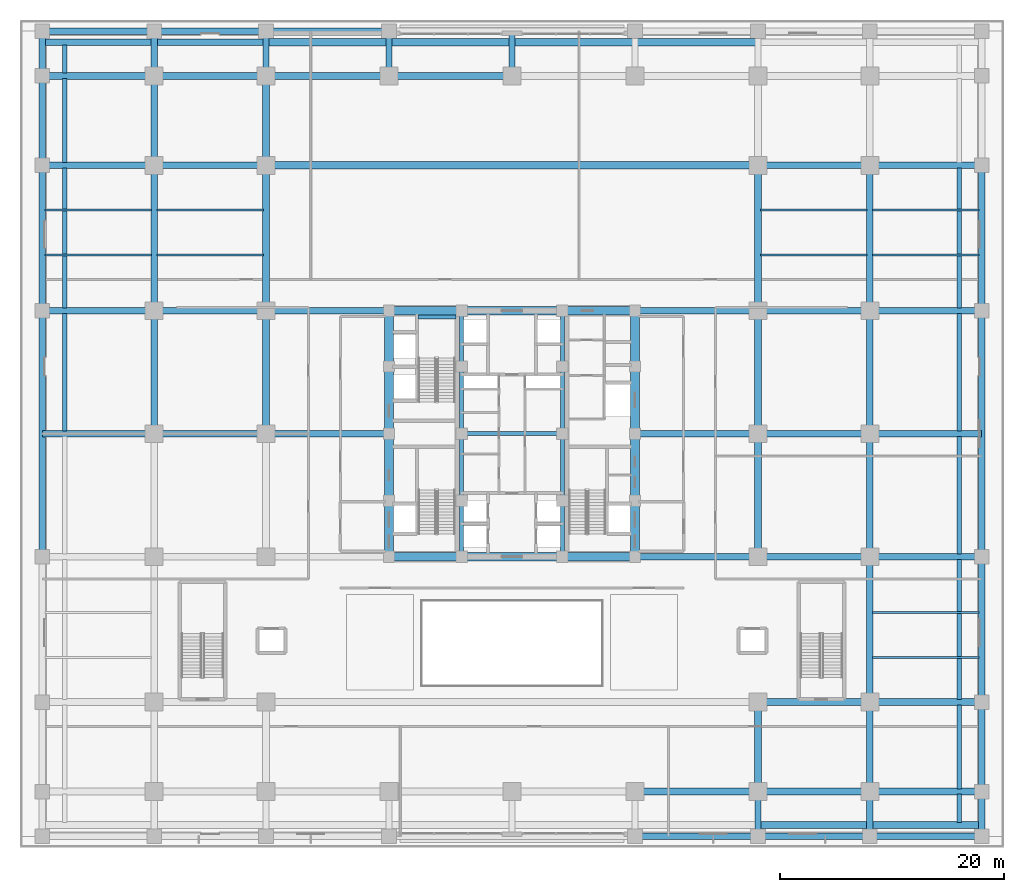
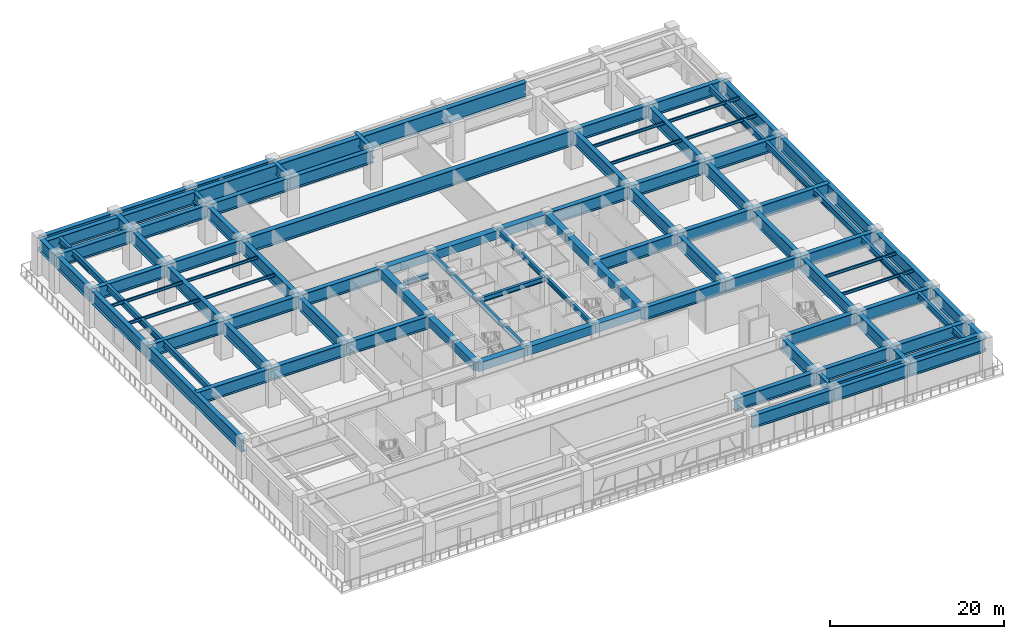
# One storey, part 9 of 28: 114 beams.
"""IFC4 building model written with IfcOpenShell, lengths in metres."""

from ifc_helpers import new_model, si_unit, direction, frame, origin, origin_2d, place, context, subcontext, project, spatial, rectangle, i_section, extrude, source, transform, mapped, material, material_profile, profile_set, type_object, element, save


model = new_model("IFC4")

# Units and contexts
model_context = context("Model", 3, precision=1e-05, world=origin(), true_north=direction((0.0, 1.0)))
body_context = subcontext(model_context, "Body", "Model", "MODEL_VIEW")
ifc_project = project(units=[si_unit("LENGTHUNIT", "METRE"), si_unit("AREAUNIT", "SQUARE_METRE"), si_unit("VOLUMEUNIT", "CUBIC_METRE"), si_unit("PLANEANGLEUNIT", "RADIAN"), si_unit("MASSUNIT", "GRAM", prefix="KILO")], contexts=[model_context])

# Site, building, storey
site_placement = place(None, origin())
site = spatial("IfcSite", under=ifc_project, at=site_placement, CompositionType="ELEMENT")
building_placement = place(site_placement, origin())
building = spatial("IfcBuilding", under=site, at=building_placement, Name="Khorayat Bourse Tower", CompositionType="ELEMENT")
storey_placement = place(building_placement, frame((0.0, 0.0, 12.0)))
storey = spatial("IfcBuildingStorey", under=building, at=storey_placement, Name="L02", CompositionType="ELEMENT", Elevation=12.0)

# Beams
ifc_material_1 = material(Name="Concrete C72/90", Category="concrete")
ifc_material_profile_1 = material_profile(ifc_material_1, rectangle(XDim=0.800048828125, YDim=1.199951171875, at=origin_2d()), Name="RC 800x1200")
ifc_profile_set_1 = profile_set([ifc_material_profile_1], Name="Concrete C72/90")
beam_type_1 = type_object("IfcBeamType", Name="BM-COUP-1200", PredefinedType="BEAM", material=ifc_profile_set_1)
shared_shape_1 = source(origin(), body_context, "Body", "SweptSolid", [
    extrude(rectangle(XDim=0.800048828125, YDim=1.199951171875, at=origin_2d()), origin(), (0.0, 0.0, 1.0), 5.0),
])
for number, where, z_axis, x_axis, name in (
    (1, (-11.0, -11.0, 4.47998046875), (0.0, 1.0, 0.0), (-1.0, 0.0, 0.0), "L02 BM-COUP-1200 BM-L02-CRX-01"),
    (2, (-11.0, 6.0, 4.47998046875), (0.0, 1.0, 0.0), (-1.0, 0.0, 0.0), "L02 BM-COUP-1200 BM-L02-CRX-04"),
    (3, (11.0, -11.0, 4.47998046875), (0.0, 1.0, 0.0), (-1.0, 0.0, 0.0), "L02 BM-COUP-1200 BM-L02-CRX-13"),
    (4, (11.0, 6.0, 4.47998046875), (0.0, 1.0, 0.0), (-1.0, 0.0, 0.0), "L02 BM-COUP-1200 BM-L02-CRX-16"),
):
    element("IfcBeam", number, at=place(storey_placement, frame(where, z_axis=z_axis, x_axis=x_axis)), inside=storey, type_object=beam_type_1, Name=name, PredefinedType="BEAM", context=body_context, shape_type="MappedRepresentation", body=[
        mapped(shared_shape_1, transform((0.0, 0.0, 0.0), scale=1.0)),
    ])
shared_shape_2 = source(origin(), body_context, "Body", "SweptSolid", [
    extrude(rectangle(XDim=0.800048828125, YDim=1.199951171875, at=origin_2d()), origin(), (0.0, 0.0, 1.0), 6.0),
])
for number, where, z_axis, x_axis, name in (
    (5, (-11.0, -6.0, 4.47998046875), (0.0, 1.0, 0.0), (-1.0, 0.0, 0.0), "L02 BM-COUP-1200 BM-L02-CRX-02"),
    (6, (-11.0, 0.0, 4.47998046875), (0.0, 1.0, 0.0), (-1.0, 0.0, 0.0), "L02 BM-COUP-1200 BM-L02-CRX-03"),
    (7, (11.0, -6.0, 4.47998046875), (0.0, 1.0, 0.0), (-1.0, 0.0, 0.0), "L02 BM-COUP-1200 BM-L02-CRX-14"),
    (8, (11.0, 0.0, 4.47998046875), (0.0, 1.0, 0.0), (-1.0, 0.0, 0.0), "L02 BM-COUP-1200 BM-L02-CRX-15"),
):
    element("IfcBeam", number, at=place(storey_placement, frame(where, z_axis=z_axis, x_axis=x_axis)), inside=storey, type_object=beam_type_1, Name=name, PredefinedType="BEAM", context=body_context, shape_type="MappedRepresentation", body=[
        mapped(shared_shape_2, transform((0.0, 0.0, 0.0), scale=1.0)),
    ])
ifc_material_2 = material(Name="Steel ASTM A992 Grade 50", Category="steel")
ifc_material_profile_2 = material_profile(ifc_material_2, i_section(OverallWidth=0.35498046875, OverallDepth=0.695068359375, WebThickness=0.015380859375, FlangeThickness=0.02490234375, FilletRadius=0.01806640625, at=origin_2d()), Name="W690X217")
ifc_profile_set_2 = profile_set([ifc_material_profile_2], Name="Steel ASTM A992 Grade 50")
beam_type_2 = type_object("IfcBeamType", Name="BM-GIRD-690", PredefinedType="BEAM", material=ifc_profile_set_2)
shared_shape_3 = source(origin(), body_context, "Body", "SweptSolid", [
    extrude(i_section(OverallWidth=0.35498046875, OverallDepth=0.695068359375, WebThickness=0.015380859375, FlangeThickness=0.02490234375, FilletRadius=0.01806640625, at=origin_2d()), origin(), (0.0, 0.0, 1.0), 5.0),
])
for number, where, z_axis, x_axis, name in (
    (9, (-4.5, -11.0, 4.732421875), (0.0, 1.0, 0.0), (-1.0, 0.0, 0.0), "L02 BM-GIRD-690 BM-L02-CRX-05"),
    (10, (-4.5, 6.0, 4.732421875), (0.0, 1.0, 0.0), (-1.0, 0.0, 0.0), "L02 BM-GIRD-690 BM-L02-CRX-08"),
    (11, (4.5, -11.0, 4.732421875), (0.0, 1.0, 0.0), (-1.0, 0.0, 0.0), "L02 BM-GIRD-690 BM-L02-CRX-09"),
    (12, (4.5, 6.0, 4.732421875), (0.0, 1.0, 0.0), (-1.0, 0.0, 0.0), "L02 BM-GIRD-690 BM-L02-CRX-12"),
):
    element("IfcBeam", number, at=place(storey_placement, frame(where, z_axis=z_axis, x_axis=x_axis)), inside=storey, type_object=beam_type_2, Name=name, PredefinedType="BEAM", context=body_context, shape_type="MappedRepresentation", body=[
        mapped(shared_shape_3, transform((0.0, 0.0, 0.0), scale=1.0)),
    ])
shared_shape_4 = source(origin(), body_context, "Body", "SweptSolid", [
    extrude(i_section(OverallWidth=0.35498046875, OverallDepth=0.695068359375, WebThickness=0.015380859375, FlangeThickness=0.02490234375, FilletRadius=0.01806640625, at=origin_2d()), origin(), (0.0, 0.0, 1.0), 6.0),
])
for number, where, z_axis, x_axis, name in (
    (13, (-4.5, -6.0, 4.732421875), (0.0, 1.0, 0.0), (-1.0, 0.0, 0.0), "L02 BM-GIRD-690 BM-L02-CRX-06"),
    (14, (-4.5, 0.0, 4.732421875), (0.0, 1.0, 0.0), (-1.0, 0.0, 0.0), "L02 BM-GIRD-690 BM-L02-CRX-07"),
    (15, (4.5, -6.0, 4.732421875), (0.0, 1.0, 0.0), (-1.0, 0.0, 0.0), "L02 BM-GIRD-690 BM-L02-CRX-10"),
    (16, (4.5, 0.0, 4.732421875), (0.0, 1.0, 0.0), (-1.0, 0.0, 0.0), "L02 BM-GIRD-690 BM-L02-CRX-11"),
):
    element("IfcBeam", number, at=place(storey_placement, frame(where, z_axis=z_axis, x_axis=x_axis)), inside=storey, type_object=beam_type_2, Name=name, PredefinedType="BEAM", context=body_context, shape_type="MappedRepresentation", body=[
        mapped(shared_shape_4, transform((0.0, 0.0, 0.0), scale=1.0)),
    ])
shared_shape_5 = source(origin(), body_context, "Body", "SweptSolid", [
    extrude(rectangle(XDim=0.800048828125, YDim=1.199951171875, at=origin_2d()), origin(), (0.0, 0.0, 1.0), 6.5),
])
for number, where, z_axis, x_axis, name in (
    (17, (-11.0, -11.0, 4.47998046875), (1.0, 0.0, 0.0), (0.0, 1.0, 0.0), "L02 BM-COUP-1200 BM-L02-CRY-17"),
    (18, (4.5, -11.0, 4.47998046875), (1.0, 0.0, 0.0), (0.0, 1.0, 0.0), "L02 BM-COUP-1200 BM-L02-CRY-19"),
    (19, (-11.0, 11.0, 4.47998046875), (1.0, 0.0, 0.0), (0.0, 1.0, 0.0), "L02 BM-COUP-1200 BM-L02-CRY-20"),
    (20, (4.5, 11.0, 4.47998046875), (1.0, 0.0, 0.0), (0.0, 1.0, 0.0), "L02 BM-COUP-1200 BM-L02-CRY-22"),
):
    element("IfcBeam", number, at=place(storey_placement, frame(where, z_axis=z_axis, x_axis=x_axis)), inside=storey, type_object=beam_type_1, Name=name, PredefinedType="BEAM", context=body_context, shape_type="MappedRepresentation", body=[
        mapped(shared_shape_5, transform((0.0, 0.0, 0.0), scale=1.0)),
    ])
shared_shape_6 = source(origin(), body_context, "Body", "SweptSolid", [
    extrude(rectangle(XDim=0.800048828125, YDim=1.199951171875, at=origin_2d()), origin(), (0.0, 0.0, 1.0), 9.0),
])
for number, where, z_axis, x_axis, name in (
    (21, (-4.5, -11.0, 4.47998046875), (1.0, 0.0, 0.0), (0.0, 1.0, 0.0), "L02 BM-COUP-1200 BM-L02-CRY-18"),
    (22, (-4.5, 11.0, 4.47998046875), (1.0, 0.0, 0.0), (0.0, 1.0, 0.0), "L02 BM-COUP-1200 BM-L02-CRY-21"),
):
    element("IfcBeam", number, at=place(storey_placement, frame(where, z_axis=z_axis, x_axis=x_axis)), inside=storey, type_object=beam_type_1, Name=name, PredefinedType="BEAM", context=body_context, shape_type="MappedRepresentation", body=[
        mapped(shared_shape_6, transform((0.0, 0.0, 0.0), scale=1.0)),
    ])
shared_shape_7 = source(origin(), body_context, "Body", "SweptSolid", [
    extrude(i_section(OverallWidth=0.35498046875, OverallDepth=0.695068359375, WebThickness=0.015380859375, FlangeThickness=0.02490234375, FilletRadius=0.01806640625, at=origin_2d()), origin(), (0.0, 0.0, 1.0), 3.39990234375),
])
beam_1_placement = place(storey_placement, frame((-8.419921875, 10.449951171875, 2.152587890625), z_axis=(1.0, 0.0, 0.0), x_axis=(0.0, 1.0, 0.0)))
element("IfcBeam", 23, at=beam_1_placement, inside=storey, type_object=beam_type_2, Name="L02 BM-GIRD-690 BM-L02-ST2L", PredefinedType="BEAM", context=body_context, shape_type="MappedRepresentation", body=[
    mapped(shared_shape_7, transform((0.0, 0.0, 0.0), scale=1.0)),
])
shared_shape_8 = source(origin(), body_context, "Body", "SweptSolid", [
    extrude(i_section(OverallWidth=0.35498046875, OverallDepth=0.695068359375, WebThickness=0.015380859375, FlangeThickness=0.02490234375, FilletRadius=0.01806640625, at=origin_2d()), origin(), (0.0, 0.0, 1.0), 9.0),
])
beam_2_placement = place(storey_placement, frame((-4.5, 0.0, 4.732421875), z_axis=(1.0, 0.0, 0.0), x_axis=(0.0, 1.0, 0.0)))
element("IfcBeam", 24, at=beam_2_placement, inside=storey, type_object=beam_type_2, Name="L02 BM-GIRD-690 BM-L02-CRY-23", PredefinedType="BEAM", context=body_context, shape_type="MappedRepresentation", body=[
    mapped(shared_shape_8, transform((0.0, 0.0, 0.0), scale=1.0)),
])
ifc_material_3 = material(Name="Steel EN 10025-4 S460M", Category="steel")
ifc_material_profile_3 = material_profile(ifc_material_3, i_section(OverallWidth=0.60009765625, OverallDepth=1.800048828125, WebThickness=0.031982421875, FlangeThickness=0.06005859375, at=origin_2d()), Name="PG 1800x600x32x60")
ifc_profile_set_3 = profile_set([ifc_material_profile_3], Name="Steel EN 10025-4 S460M")
beam_type_3 = type_object("IfcBeamType", Name="BM-TR-1800", PredefinedType="BEAM", material=ifc_profile_set_3)
shared_shape_9 = source(origin(), body_context, "Body", "SweptSolid", [
    extrude(i_section(OverallWidth=0.60009765625, OverallDepth=1.800048828125, WebThickness=0.031982421875, FlangeThickness=0.06005859375, at=origin_2d()), origin(), (0.0, 0.0, 1.0), 10.0),
])
for number, where, z_axis, x_axis, name in (
    (25, (22.0, -36.0, 4.179931640625), (1.0, 0.0, 0.0), (0.0, 1.0, 0.0), "L02 BM-TR-1800 BM-L02-PGX-029"),
    (26, (32.0, -36.0, 4.179931640625), (1.0, 0.0, 0.0), (0.0, 1.0, 0.0), "L02 BM-TR-1800 BM-L02-PGX-030"),
    (27, (22.0, -35.0, 4.179931640625), (1.0, 0.0, 0.0), (0.0, 1.0, 0.0), "L02 BM-TR-1800 BM-L02-PGX-034"),
    (28, (32.0, -35.0, 4.179931640625), (1.0, 0.0, 0.0), (0.0, 1.0, 0.0), "L02 BM-TR-1800 BM-L02-PGX-035"),
    (29, (22.0, -32.0, 4.179931640625), (1.0, 0.0, 0.0), (0.0, 1.0, 0.0), "L02 BM-TR-1800 BM-L02-PGX-042"),
    (30, (32.0, -32.0, 4.179931640625), (1.0, 0.0, 0.0), (0.0, 1.0, 0.0), "L02 BM-TR-1800 BM-L02-PGX-043"),
    (31, (22.0, -24.0, 4.179931640625), (1.0, 0.0, 0.0), (0.0, 1.0, 0.0), "L02 BM-TR-1800 BM-L02-PGX-047"),
    (32, (32.0, -24.0, 4.179931640625), (1.0, 0.0, 0.0), (0.0, 1.0, 0.0), "L02 BM-TR-1800 BM-L02-PGX-048"),
    (33, (22.0, -11.0, 4.179931640625), (1.0, 0.0, 0.0), (0.0, 1.0, 0.0), "L02 BM-TR-1800 BM-L02-PGX-056"),
    (34, (32.0, -11.0, 4.179931640625), (1.0, 0.0, 0.0), (0.0, 1.0, 0.0), "L02 BM-TR-1800 BM-L02-PGX-057"),
    (35, (-42.0, 0.0, 4.179931640625), (1.0, 0.0, 0.0), (0.0, 1.0, 0.0), "L02 BM-TR-1800 BM-L02-PGX-058"),
    (36, (-32.0, 0.0, 4.179931640625), (1.0, 0.0, 0.0), (0.0, 1.0, 0.0), "L02 BM-TR-1800 BM-L02-PGX-059"),
    (37, (22.0, 0.0, 4.179931640625), (1.0, 0.0, 0.0), (0.0, 1.0, 0.0), "L02 BM-TR-1800 BM-L02-PGX-062"),
    (38, (32.0, 0.0, 4.179931640625), (1.0, 0.0, 0.0), (0.0, 1.0, 0.0), "L02 BM-TR-1800 BM-L02-PGX-063"),
    (39, (-42.0, 11.0, 4.179931640625), (1.0, 0.0, 0.0), (0.0, 1.0, 0.0), "L02 BM-TR-1800 BM-L02-PGX-064"),
    (40, (-32.0, 11.0, 4.179931640625), (1.0, 0.0, 0.0), (0.0, 1.0, 0.0), "L02 BM-TR-1800 BM-L02-PGX-065"),
    (41, (22.0, 11.0, 4.179931640625), (1.0, 0.0, 0.0), (0.0, 1.0, 0.0), "L02 BM-TR-1800 BM-L02-PGX-071"),
    (42, (32.0, 11.0, 4.179931640625), (1.0, 0.0, 0.0), (0.0, 1.0, 0.0), "L02 BM-TR-1800 BM-L02-PGX-072"),
    (43, (-42.0, 24.0, 4.179931640625), (1.0, 0.0, 0.0), (0.0, 1.0, 0.0), "L02 BM-TR-1800 BM-L02-PGX-073"),
    (44, (-32.0, 24.0, 4.179931640625), (1.0, 0.0, 0.0), (0.0, 1.0, 0.0), "L02 BM-TR-1800 BM-L02-PGX-074"),
    (45, (22.0, 24.0, 4.179931640625), (1.0, 0.0, 0.0), (0.0, 1.0, 0.0), "L02 BM-TR-1800 BM-L02-PGX-076"),
    (46, (32.0, 24.0, 4.179931640625), (1.0, 0.0, 0.0), (0.0, 1.0, 0.0), "L02 BM-TR-1800 BM-L02-PGX-077"),
    (47, (-42.0, 32.0, 4.179931640625), (1.0, 0.0, 0.0), (0.0, 1.0, 0.0), "L02 BM-TR-1800 BM-L02-PGX-078"),
    (48, (-32.0, 32.0, 4.179931640625), (1.0, 0.0, 0.0), (0.0, 1.0, 0.0), "L02 BM-TR-1800 BM-L02-PGX-079"),
    (49, (-42.0, 35.0, 4.179931640625), (1.0, 0.0, 0.0), (0.0, 1.0, 0.0), "L02 BM-TR-1800 BM-L02-PGX-086"),
    (50, (-32.0, 35.0, 4.179931640625), (1.0, 0.0, 0.0), (0.0, 1.0, 0.0), "L02 BM-TR-1800 BM-L02-PGX-087"),
    (51, (-42.0, 36.0, 4.179931640625), (1.0, 0.0, 0.0), (0.0, 1.0, 0.0), "L02 BM-TR-1800 BM-L02-PGX-091"),
    (52, (-32.0, 36.0, 4.179931640625), (1.0, 0.0, 0.0), (0.0, 1.0, 0.0), "L02 BM-TR-1800 BM-L02-PGX-092"),
):
    element("IfcBeam", number, at=place(storey_placement, frame(where, z_axis=z_axis, x_axis=x_axis)), inside=storey, type_object=beam_type_3, Name=name, PredefinedType="BEAM", context=body_context, shape_type="MappedRepresentation", body=[
        mapped(shared_shape_9, transform((0.0, 0.0, 0.0), scale=1.0)),
    ])
shared_shape_10 = source(origin(), body_context, "Body", "SweptSolid", [
    extrude(i_section(OverallWidth=0.60009765625, OverallDepth=1.800048828125, WebThickness=0.031982421875, FlangeThickness=0.06005859375, at=origin_2d()), origin(), (0.0, 0.0, 1.0), 11.0),
])
for number, where, z_axis, x_axis, name in (
    (53, (11.0, -36.0, 4.179931640625), (1.0, 0.0, 0.0), (0.0, 1.0, 0.0), "L02 BM-TR-1800 BM-L02-PGX-028"),
    (54, (11.0, -32.0, 4.179931640625), (1.0, 0.0, 0.0), (0.0, 1.0, 0.0), "L02 BM-TR-1800 BM-L02-PGX-041"),
    (55, (11.0, -11.0, 4.179931640625), (1.0, 0.0, 0.0), (0.0, 1.0, 0.0), "L02 BM-TR-1800 BM-L02-PGX-055"),
    (56, (-22.0, 0.0, 4.179931640625), (1.0, 0.0, 0.0), (0.0, 1.0, 0.0), "L02 BM-TR-1800 BM-L02-PGX-060"),
    (57, (11.0, 0.0, 4.179931640625), (1.0, 0.0, 0.0), (0.0, 1.0, 0.0), "L02 BM-TR-1800 BM-L02-PGX-061"),
    (58, (-22.0, 11.0, 4.179931640625), (1.0, 0.0, 0.0), (0.0, 1.0, 0.0), "L02 BM-TR-1800 BM-L02-PGX-066"),
    (59, (11.0, 11.0, 4.179931640625), (1.0, 0.0, 0.0), (0.0, 1.0, 0.0), "L02 BM-TR-1800 BM-L02-PGX-070"),
    (60, (-22.0, 32.0, 4.179931640625), (1.0, 0.0, 0.0), (0.0, 1.0, 0.0), "L02 BM-TR-1800 BM-L02-PGX-080"),
    (61, (-11.0, 32.0, 4.179931640625), (1.0, 0.0, 0.0), (0.0, 1.0, 0.0), "L02 BM-TR-1800 BM-L02-PGX-081"),
    (62, (-22.0, 36.0, 4.179931640625), (1.0, 0.0, 0.0), (0.0, 1.0, 0.0), "L02 BM-TR-1800 BM-L02-PGX-093"),
    (63, (-32.0, 0.0, 4.179931640625), (0.0, 1.0, 0.0), (-1.0, 0.0, 0.0), "L02 BM-TR-1800 BM-L02-PGY-117"),
    (64, (-22.0, 0.0, 4.179931640625), (0.0, 1.0, 0.0), (-1.0, 0.0, 0.0), "L02 BM-TR-1800 BM-L02-PGY-124"),
    (65, (22.0, -11.0, 4.179931640625), (0.0, 1.0, 0.0), (-1.0, 0.0, 0.0), "L02 BM-TR-1800 BM-L02-PGY-139"),
    (66, (22.0, 0.0, 4.179931640625), (0.0, 1.0, 0.0), (-1.0, 0.0, 0.0), "L02 BM-TR-1800 BM-L02-PGY-140"),
    (67, (32.0, -11.0, 4.179931640625), (0.0, 1.0, 0.0), (-1.0, 0.0, 0.0), "L02 BM-TR-1800 BM-L02-PGY-147"),
    (68, (32.0, 0.0, 4.179931640625), (0.0, 1.0, 0.0), (-1.0, 0.0, 0.0), "L02 BM-TR-1800 BM-L02-PGY-148"),
):
    element("IfcBeam", number, at=place(storey_placement, frame(where, z_axis=z_axis, x_axis=x_axis)), inside=storey, type_object=beam_type_3, Name=name, PredefinedType="BEAM", context=body_context, shape_type="MappedRepresentation", body=[
        mapped(shared_shape_10, transform((0.0, 0.0, 0.0), scale=1.0)),
    ])
shared_shape_11 = source(origin(), body_context, "Body", "SweptSolid", [
    extrude(i_section(OverallWidth=0.60009765625, OverallDepth=1.800048828125, WebThickness=0.031982421875, FlangeThickness=0.06005859375, at=origin_2d()), origin(), (0.0, 0.0, 1.0), 8.0),
])
for number, where, z_axis, x_axis, name in (
    (69, (-42.0, 24.0, 4.179931640625), (0.0, 1.0, 0.0), (-1.0, 0.0, 0.0), "L02 BM-TR-1800 BM-L02-PGY-103"),
    (70, (-32.0, 24.0, 4.179931640625), (0.0, 1.0, 0.0), (-1.0, 0.0, 0.0), "L02 BM-TR-1800 BM-L02-PGY-119"),
    (71, (-22.0, 24.0, 4.179931640625), (0.0, 1.0, 0.0), (-1.0, 0.0, 0.0), "L02 BM-TR-1800 BM-L02-PGY-126"),
    (72, (22.0, -32.0, 4.179931640625), (0.0, 1.0, 0.0), (-1.0, 0.0, 0.0), "L02 BM-TR-1800 BM-L02-PGY-138"),
    (73, (32.0, -32.0, 4.179931640625), (0.0, 1.0, 0.0), (-1.0, 0.0, 0.0), "L02 BM-TR-1800 BM-L02-PGY-145"),
    (74, (42.0, -32.0, 4.179931640625), (0.0, 1.0, 0.0), (-1.0, 0.0, 0.0), "L02 BM-TR-1800 BM-L02-PGY-161"),
):
    element("IfcBeam", number, at=place(storey_placement, frame(where, z_axis=z_axis, x_axis=x_axis)), inside=storey, type_object=beam_type_3, Name=name, PredefinedType="BEAM", context=body_context, shape_type="MappedRepresentation", body=[
        mapped(shared_shape_11, transform((0.0, 0.0, 0.0), scale=1.0)),
    ])
shared_shape_12 = source(origin(), body_context, "Body", "SweptSolid", [
    extrude(i_section(OverallWidth=0.60009765625, OverallDepth=1.800048828125, WebThickness=0.031982421875, FlangeThickness=0.06005859375, at=origin_2d()), origin(), (0.0, 0.0, 1.0), 13.0),
])
for number, where, z_axis, x_axis, name in (
    (75, (-42.0, 11.0, 4.179931640625), (0.0, 1.0, 0.0), (-1.0, 0.0, 0.0), "L02 BM-TR-1800 BM-L02-PGY-102"),
    (76, (-32.0, 11.0, 4.179931640625), (0.0, 1.0, 0.0), (-1.0, 0.0, 0.0), "L02 BM-TR-1800 BM-L02-PGY-118"),
    (77, (-22.0, 11.0, 4.179931640625), (0.0, 1.0, 0.0), (-1.0, 0.0, 0.0), "L02 BM-TR-1800 BM-L02-PGY-125"),
    (78, (22.0, 11.0, 4.179931640625), (0.0, 1.0, 0.0), (-1.0, 0.0, 0.0), "L02 BM-TR-1800 BM-L02-PGY-141"),
    (79, (32.0, -24.0, 4.179931640625), (0.0, 1.0, 0.0), (-1.0, 0.0, 0.0), "L02 BM-TR-1800 BM-L02-PGY-146"),
    (80, (32.0, 11.0, 4.179931640625), (0.0, 1.0, 0.0), (-1.0, 0.0, 0.0), "L02 BM-TR-1800 BM-L02-PGY-149"),
    (81, (42.0, -24.0, 4.179931640625), (0.0, 1.0, 0.0), (-1.0, 0.0, 0.0), "L02 BM-TR-1800 BM-L02-PGY-162"),
    (82, (42.0, 11.0, 4.179931640625), (0.0, 1.0, 0.0), (-1.0, 0.0, 0.0), "L02 BM-TR-1800 BM-L02-PGY-164"),
):
    element("IfcBeam", number, at=place(storey_placement, frame(where, z_axis=z_axis, x_axis=x_axis)), inside=storey, type_object=beam_type_3, Name=name, PredefinedType="BEAM", context=body_context, shape_type="MappedRepresentation", body=[
        mapped(shared_shape_12, transform((0.0, 0.0, 0.0), scale=1.0)),
    ])
ifc_material_profile_4 = material_profile(ifc_material_3, i_section(OverallWidth=0.64990234375, OverallDepth=2.199951171875, WebThickness=0.035888671875, FlangeThickness=0.06494140625, at=origin_2d()), Name="PG 2200x650x36x65")
ifc_profile_set_4 = profile_set([ifc_material_profile_4], Name="Steel EN 10025-4 S460M")
beam_type_4 = type_object("IfcBeamType", Name="BM-TR-2200", PredefinedType="BEAM", material=ifc_profile_set_4)
shared_shape_13 = source(origin(), body_context, "Body", "SweptSolid", [
    extrude(i_section(OverallWidth=0.64990234375, OverallDepth=2.199951171875, WebThickness=0.035888671875, FlangeThickness=0.06494140625, at=origin_2d()), origin(), (0.0, 0.0, 1.0), 44.0),
])
for number, where, z_axis, x_axis, name in (
    (83, (-22.0, 24.0, 3.97998046875), (1.0, 0.0, 0.0), (0.0, 1.0, 0.0), "L02 BM-TR-2200 BM-L02-PGX-075"),
    (84, (-22.0, 35.0, 3.97998046875), (1.0, 0.0, 0.0), (0.0, 1.0, 0.0), "L02 BM-TR-2200 BM-L02-PGX-088"),
):
    element("IfcBeam", number, at=place(storey_placement, frame(where, z_axis=z_axis, x_axis=x_axis)), inside=storey, type_object=beam_type_4, Name=name, PredefinedType="BEAM", context=body_context, shape_type="MappedRepresentation", body=[
        mapped(shared_shape_13, transform((0.0, 0.0, 0.0), scale=1.0)),
    ])
ifc_material_profile_5 = material_profile(ifc_material_2, i_section(OverallWidth=0.39990234375, OverallDepth=0.85498046875, WebThickness=0.018310546875, FlangeThickness=0.029296875, FilletRadius=0.02001953125, at=origin_2d()), Name="W840X299")
ifc_profile_set_5 = profile_set([ifc_material_profile_5], Name="Steel ASTM A992 Grade 50")
beam_type_5 = type_object("IfcBeamType", Name="BM-GIRD-840", PredefinedType="BEAM", material=ifc_profile_set_5)
shared_shape_14 = source(origin(), body_context, "Body", "SweptSolid", [
    extrude(i_section(OverallWidth=0.39990234375, OverallDepth=0.85498046875, WebThickness=0.018310546875, FlangeThickness=0.029296875, FilletRadius=0.02001953125, at=origin_2d()), origin(), (0.0, 0.0, 1.0), 7.52001953125),
])
for number, where, z_axis, x_axis, name in (
    (85, (-40.0, 24.239990234375, 4.652587890625), (0.0, 1.0, 0.0), (-1.0, 0.0, 0.0), "L02 BM-GIRD-840 BM-L02-PGY-111"),
    (86, (40.0, -31.760009765625, 4.652587890625), (0.0, 1.0, 0.0), (-1.0, 0.0, 0.0), "L02 BM-GIRD-840 BM-L02-PGY-153"),
):
    element("IfcBeam", number, at=place(storey_placement, frame(where, z_axis=z_axis, x_axis=x_axis)), inside=storey, type_object=beam_type_5, Name=name, PredefinedType="BEAM", context=body_context, shape_type="MappedRepresentation", body=[
        mapped(shared_shape_14, transform((0.0, 0.0, 0.0), scale=1.0)),
    ])
shared_shape_15 = source(origin(), body_context, "Body", "SweptSolid", [
    extrude(i_section(OverallWidth=0.39990234375, OverallDepth=0.85498046875, WebThickness=0.018310546875, FlangeThickness=0.029296875, FilletRadius=0.02001953125, at=origin_2d()), origin(), (0.0, 0.0, 1.0), 12.52001953125),
])
for number, where, z_axis, x_axis, name in (
    (87, (-40.0, 11.239990234375, 4.652587890625), (0.0, 1.0, 0.0), (-1.0, 0.0, 0.0), "L02 BM-GIRD-840 BM-L02-PGY-110"),
    (88, (40.0, -23.760009765625, 4.652587890625), (0.0, 1.0, 0.0), (-1.0, 0.0, 0.0), "L02 BM-GIRD-840 BM-L02-PGY-154"),
    (89, (40.0, 11.239990234375, 4.652587890625), (0.0, 1.0, 0.0), (-1.0, 0.0, 0.0), "L02 BM-GIRD-840 BM-L02-PGY-157"),
):
    element("IfcBeam", number, at=place(storey_placement, frame(where, z_axis=z_axis, x_axis=x_axis)), inside=storey, type_object=beam_type_5, Name=name, PredefinedType="BEAM", context=body_context, shape_type="MappedRepresentation", body=[
        mapped(shared_shape_15, transform((0.0, 0.0, 0.0), scale=1.0)),
    ])
shared_shape_16 = source(origin(), body_context, "Body", "SweptSolid", [
    extrude(i_section(OverallWidth=0.39990234375, OverallDepth=0.85498046875, WebThickness=0.018310546875, FlangeThickness=0.029296875, FilletRadius=0.02001953125, at=origin_2d()), origin(), (0.0, 0.0, 1.0), 10.52001953125),
])
for number, where, z_axis, x_axis, name in (
    (90, (-40.0, 0.239990234375, 4.652587890625), (0.0, 1.0, 0.0), (-1.0, 0.0, 0.0), "L02 BM-GIRD-840 BM-L02-PGY-109"),
    (91, (40.0, -10.760009765625, 4.652587890625), (0.0, 1.0, 0.0), (-1.0, 0.0, 0.0), "L02 BM-GIRD-840 BM-L02-PGY-155"),
    (92, (40.0, 0.239990234375, 4.652587890625), (0.0, 1.0, 0.0), (-1.0, 0.0, 0.0), "L02 BM-GIRD-840 BM-L02-PGY-156"),
):
    element("IfcBeam", number, at=place(storey_placement, frame(where, z_axis=z_axis, x_axis=x_axis)), inside=storey, type_object=beam_type_5, Name=name, PredefinedType="BEAM", context=body_context, shape_type="MappedRepresentation", body=[
        mapped(shared_shape_16, transform((0.0, 0.0, 0.0), scale=1.0)),
    ])
ifc_material_profile_6 = material_profile(ifc_material_2, i_section(OverallWidth=0.180908203125, OverallDepth=0.4169921875, WebThickness=0.010986328125, FlangeThickness=0.018310546875, FilletRadius=0.011962890625, at=origin_2d()), Name="W410X85")
ifc_profile_set_6 = profile_set([ifc_material_profile_6], Name="Steel ASTM A992 Grade 50")
beam_type_6 = type_object("IfcBeamType", Name="BM-JOIST-410", PredefinedType="JOIST", material=ifc_profile_set_6)
shared_shape_17 = source(origin(), body_context, "Body", "SweptSolid", [
    extrude(i_section(OverallWidth=0.180908203125, OverallDepth=0.4169921875, WebThickness=0.010986328125, FlangeThickness=0.018310546875, FilletRadius=0.011962890625, at=origin_2d()), origin(), (0.0, 0.0, 1.0), 9.52001953125),
])
for number, where, z_axis, x_axis, name in (
    (93, (32.239990234375, -20.0, 4.87158203125), (1.0, 0.0, 0.0), (0.0, 1.0, 0.0), "L02 BM-JOIST-410 BM-L02-PJ-168"),
    (94, (32.239990234375, -16.0, 4.87158203125), (1.0, 0.0, 0.0), (0.0, 1.0, 0.0), "L02 BM-JOIST-410 BM-L02-PJ-170"),
    (95, (-41.760009765625, 16.0, 4.87158203125), (1.0, 0.0, 0.0), (0.0, 1.0, 0.0), "L02 BM-JOIST-410 BM-L02-PJ-171"),
    (96, (-31.760009765625, 16.0, 4.87158203125), (1.0, 0.0, 0.0), (0.0, 1.0, 0.0), "L02 BM-JOIST-410 BM-L02-PJ-172"),
    (97, (22.239990234375, 16.0, 4.87158203125), (1.0, 0.0, 0.0), (0.0, 1.0, 0.0), "L02 BM-JOIST-410 BM-L02-PJ-173"),
    (98, (32.239990234375, 16.0, 4.87158203125), (1.0, 0.0, 0.0), (0.0, 1.0, 0.0), "L02 BM-JOIST-410 BM-L02-PJ-174"),
    (99, (-41.760009765625, 20.0, 4.87158203125), (1.0, 0.0, 0.0), (0.0, 1.0, 0.0), "L02 BM-JOIST-410 BM-L02-PJ-175"),
    (100, (-31.760009765625, 20.0, 4.87158203125), (1.0, 0.0, 0.0), (0.0, 1.0, 0.0), "L02 BM-JOIST-410 BM-L02-PJ-176"),
    (101, (22.239990234375, 20.0, 4.87158203125), (1.0, 0.0, 0.0), (0.0, 1.0, 0.0), "L02 BM-JOIST-410 BM-L02-PJ-177"),
    (102, (32.239990234375, 20.0, 4.87158203125), (1.0, 0.0, 0.0), (0.0, 1.0, 0.0), "L02 BM-JOIST-410 BM-L02-PJ-178"),
):
    element("IfcBeam", number, at=place(storey_placement, frame(where, z_axis=z_axis, x_axis=x_axis)), inside=storey, type_object=beam_type_6, Name=name, PredefinedType="JOIST", context=body_context, shape_type="MappedRepresentation", body=[
        mapped(shared_shape_17, transform((0.0, 0.0, 0.0), scale=1.0)),
    ])
shared_shape_18 = source(origin(), body_context, "Body", "SweptSolid", [
    extrude(i_section(OverallWidth=0.60009765625, OverallDepth=1.800048828125, WebThickness=0.031982421875, FlangeThickness=0.06005859375, at=origin_2d()), origin(), (0.0, 0.0, 1.0), 22.0),
])
for number, where, z_axis, x_axis, name in (
    (103, (-42.0, -11.0, 4.179931640625), (0.0, 1.0, 0.0), (-1.0, 0.0, 0.0), "L02 BM-TR-1800 BM-L02-PGY-101"),
    (104, (42.0, -11.0, 4.179931640625), (0.0, 1.0, 0.0), (-1.0, 0.0, 0.0), "L02 BM-TR-1800 BM-L02-PGY-163"),
):
    element("IfcBeam", number, at=place(storey_placement, frame(where, z_axis=z_axis, x_axis=x_axis)), inside=storey, type_object=beam_type_3, Name=name, PredefinedType="BEAM", context=body_context, shape_type="MappedRepresentation", body=[
        mapped(shared_shape_18, transform((0.0, 0.0, 0.0), scale=1.0)),
    ])
shared_shape_19 = source(origin(), body_context, "Body", "SweptSolid", [
    extrude(i_section(OverallWidth=0.60009765625, OverallDepth=1.800048828125, WebThickness=0.031982421875, FlangeThickness=0.06005859375, at=origin_2d()), origin(), (0.0, 0.0, 1.0), 4.0),
])
for number, where, z_axis, x_axis, name in (
    (105, (-42.0, 32.0, 4.179931640625), (0.0, 1.0, 0.0), (-1.0, 0.0, 0.0), "L02 BM-TR-1800 BM-L02-PGY-104"),
    (106, (-32.0, 32.0, 4.179931640625), (0.0, 1.0, 0.0), (-1.0, 0.0, 0.0), "L02 BM-TR-1800 BM-L02-PGY-120"),
    (107, (32.0, -36.0, 4.179931640625), (0.0, 1.0, 0.0), (-1.0, 0.0, 0.0), "L02 BM-TR-1800 BM-L02-PGY-144"),
    (108, (42.0, -36.0, 4.179931640625), (0.0, 1.0, 0.0), (-1.0, 0.0, 0.0), "L02 BM-TR-1800 BM-L02-PGY-160"),
):
    element("IfcBeam", number, at=place(storey_placement, frame(where, z_axis=z_axis, x_axis=x_axis)), inside=storey, type_object=beam_type_3, Name=name, PredefinedType="BEAM", context=body_context, shape_type="MappedRepresentation", body=[
        mapped(shared_shape_19, transform((0.0, 0.0, 0.0), scale=1.0)),
    ])
shared_shape_20 = source(origin(), body_context, "Body", "SweptSolid", [
    extrude(i_section(OverallWidth=0.39990234375, OverallDepth=0.85498046875, WebThickness=0.018310546875, FlangeThickness=0.029296875, FilletRadius=0.02001953125, at=origin_2d()), origin(), (0.0, 0.0, 1.0), 2.52001953125),
])
for number, where, z_axis, x_axis, name in (
    (109, (-40.0, 32.239990234375, 4.652587890625), (0.0, 1.0, 0.0), (-1.0, 0.0, 0.0), "L02 BM-GIRD-840 BM-L02-PGY-112"),
    (110, (40.0, -34.760009765625, 4.652587890625), (0.0, 1.0, 0.0), (-1.0, 0.0, 0.0), "L02 BM-GIRD-840 BM-L02-PGY-152"),
):
    element("IfcBeam", number, at=place(storey_placement, frame(where, z_axis=z_axis, x_axis=x_axis)), inside=storey, type_object=beam_type_5, Name=name, PredefinedType="BEAM", context=body_context, shape_type="MappedRepresentation", body=[
        mapped(shared_shape_20, transform((0.0, 0.0, 0.0), scale=1.0)),
    ])
ifc_material_profile_7 = material_profile(ifc_material_3, i_section(OverallWidth=0.5, OverallDepth=1.39990234375, WebThickness=0.02490234375, FlangeThickness=0.050048828125, at=origin_2d()), Name="PG 1400x500x25x50")
ifc_profile_set_7 = profile_set([ifc_material_profile_7], Name="Steel EN 10025-4 S460M")
beam_type_7 = type_object("IfcBeamType", Name="BM-TR-1400", PredefinedType="BEAM", material=ifc_profile_set_7)
shared_shape_21 = source(origin(), body_context, "Body", "SweptSolid", [
    extrude(i_section(OverallWidth=0.5, OverallDepth=1.39990234375, WebThickness=0.02490234375, FlangeThickness=0.050048828125, at=origin_2d()), origin(), (0.0, 0.0, 1.0), 4.0),
])
for number, where, z_axis, x_axis, name in (
    (111, (-22.0, 32.0, 4.3798828125), (0.0, 1.0, 0.0), (-1.0, 0.0, 0.0), "L02 BM-TR-1400 BM-L02-PGY-127"),
    (112, (-11.0, 32.0, 4.3798828125), (0.0, 1.0, 0.0), (-1.0, 0.0, 0.0), "L02 BM-TR-1400 BM-L02-PGY-130"),
    (113, (0.0, 32.0, 4.3798828125), (0.0, 1.0, 0.0), (-1.0, 0.0, 0.0), "L02 BM-TR-1400 BM-L02-PGY-132"),
    (114, (22.0, -36.0, 4.3798828125), (0.0, 1.0, 0.0), (-1.0, 0.0, 0.0), "L02 BM-TR-1400 BM-L02-PGY-137"),
):
    element("IfcBeam", number, at=place(storey_placement, frame(where, z_axis=z_axis, x_axis=x_axis)), inside=storey, type_object=beam_type_7, Name=name, PredefinedType="BEAM", context=body_context, shape_type="MappedRepresentation", body=[
        mapped(shared_shape_21, transform((0.0, 0.0, 0.0), scale=1.0)),
    ])

save(model, "model.ifc")
